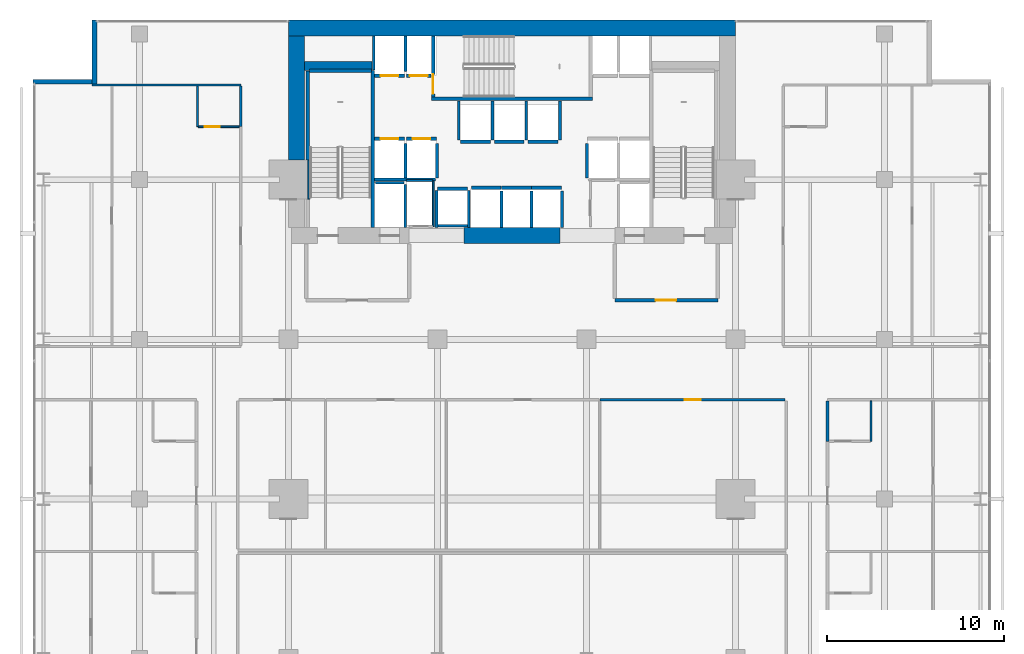
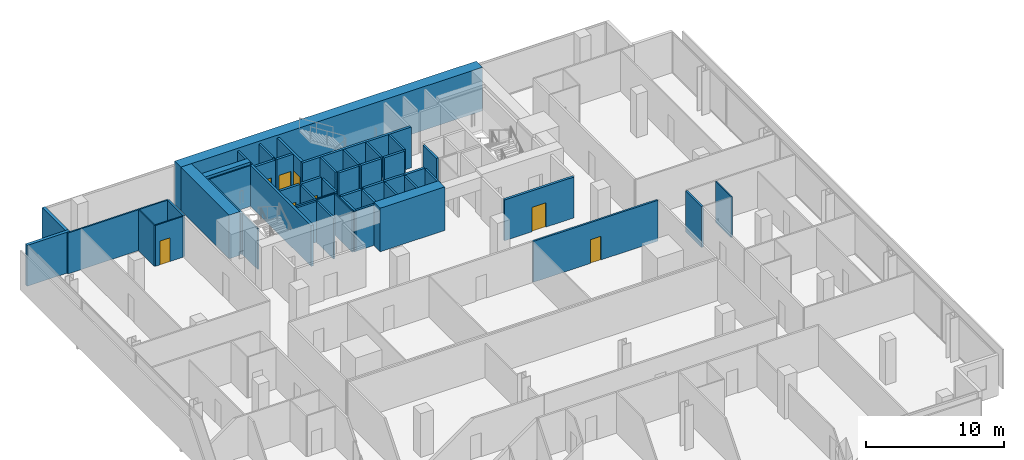
# One storey, part 35 of 39: 51 walls, 8 doors, 8 openings.
"""IFC4 building model written with IfcOpenShell, lengths in metres."""

from ifc_helpers import new_model, si_unit, direction, frame, frame_2d, origin, place, context, subcontext, project, spatial, rectangle, extrude, material, layer, layer_set, type_object, element, fill, save


model = new_model("IFC4")

# Units and contexts
model_context = context("Model", 3, precision=1e-05, world=origin(), true_north=direction((0.0, 1.0)))
body_context = subcontext(model_context, "Body", "Model", "MODEL_VIEW")
ifc_project = project(units=[si_unit("LENGTHUNIT", "METRE"), si_unit("AREAUNIT", "SQUARE_METRE"), si_unit("VOLUMEUNIT", "CUBIC_METRE"), si_unit("PLANEANGLEUNIT", "RADIAN"), si_unit("MASSUNIT", "GRAM", prefix="KILO")], contexts=[model_context])

# Site, building, storey
site_placement = place(None, origin())
site = spatial("IfcSite", under=ifc_project, at=site_placement, CompositionType="ELEMENT")
building_placement = place(site_placement, origin())
building = spatial("IfcBuilding", under=site, at=building_placement, Name="Maruvema Waterfront Hotel and Observation Tower", CompositionType="ELEMENT")
storey_placement = place(building_placement, frame((0.0, 0.0, 69.300048828125)))
storey = spatial("IfcBuildingStorey", under=building, at=storey_placement, Name="L16", CompositionType="ELEMENT", Elevation=69.300048828125)

# Wall, opening, door
ifc_material_1 = material(Name="Twin-stud acoustic gypsum drywall", Category="gypsum")
ifc_layer_1 = layer(ifc_material_1, 0.14990234375, Name="Acoustic Corridor and Suite Demising Wall 150 mm")
ifc_layer_set_1 = layer_set([ifc_layer_1], Name="Twin-stud acoustic gypsum drywall")
wall_type_1 = type_object("IfcWallType", Name="Acoustic Corridor and Suite Demising Wall 150 mm", PredefinedType="PARTITIONING", material=ifc_layer_set_1)
wall_1_placement = place(storey_placement, frame((42.77392578125, 32.60009765625, 0.0), z_axis=(0.0, 0.0, 1.0), x_axis=(1.0, 0.0, 0.0)))
wall_1 = element("IfcWall", 1, at=wall_1_placement, inside=storey, type_object=wall_type_1, Name="L16 L16-INTN Front 4 021", PredefinedType="PARTITIONING", context=body_context, shape_type="SweptSolid", body=[
    extrude(rectangle(XDim=10.416015625, YDim=0.14990234375, at=frame_2d((5.2080078125, 0.0))), origin(), (0.0, 0.0, 1.0), 3.60986328125),
])
opening_1_placement = place(wall_1_placement, frame((4.758056640625, 0.0, 0.0)))
opening_1 = element("IfcOpeningElement", 2, at=opening_1_placement, cuts=wall_1, Name="Opening DR-090", PredefinedType="OPENING", context=body_context, shape_type="SweptSolid", body=[
    extrude(rectangle(XDim=0.89990234375, YDim=2.10009765625, at=frame_2d((0.449951171875, 1.050048828125))), frame((0.0, 0.0849609375, 0.0), z_axis=(0.0, -1.0, 0.0), x_axis=(1.0, 0.0, 0.0)), (0.0, 0.0, 1.0), 0.169921875),
])
ifc_material_2 = material(Name="Solid-core lacquered timber leaf", Category="wood")
door_type_1 = type_object("IfcDoorType", Name="Accessible Toilet and Room Door 900x2100 mm", OperationType="NOTDEFINED", PredefinedType="DOOR", material=ifc_material_2)
door_1_placement = place(opening_1_placement, origin())
door_1 = element("IfcDoor", 3, at=door_1_placement, inside=storey, type_object=door_type_1, Name="L16 Private Study Office 3 Door", OperationType="SINGLE_SWING_RIGHT", OverallHeight=2.10009765625, OverallWidth=0.89990234375, PredefinedType="DOOR", context=body_context, shape_type="SweptSolid", body=[
    extrude(rectangle(XDim=0.89990234375, YDim=2.10009765625, at=frame_2d((0.449951171875, 1.050048828125))), frame((0.0, 0.02490234375, 0.0), z_axis=(0.0, -1.0, 0.0), x_axis=(1.0, 0.0, 0.0)), (0.0, 0.0, 1.0), 0.050048828125),
])
fill(opening_1, door_1)

# Walls
for number, where, z_axis, x_axis, name in (
    (4, (55.580078125, 30.25, 0.0), (0.0, 0.0, 1.0), (0.0, 1.0, 0.0), "L16 Bath L16-E2 Wall 072"),
    (5, (22.52001953125, 47.987548828125, 0.0), (0.0, 0.0, 1.0), (0.0, 1.0, 0.0), "L16 Bath L16-NW1 Wall 081"),
):
    element("IfcWall", number, at=place(storey_placement, frame(where, z_axis=z_axis, x_axis=x_axis)), inside=storey, type_object=wall_type_1, Name=name, PredefinedType="PARTITIONING", context=body_context, shape_type="SweptSolid", body=[
        extrude(rectangle(XDim=2.2900390625, YDim=0.14990234375, at=frame_2d((1.14501953125, 0.0))), origin(), (0.0, 0.0, 1.0), 3.60986328125),
    ])
ifc_material_3 = material(Name="Precast concrete C45/55", Category="concrete")
ifc_layer_2 = layer(ifc_material_3, 0.199951171875, Name="Core Shaft and Stairwell Enclosure Wall 200 mm")
ifc_layer_set_2 = layer_set([ifc_layer_2], Name="Precast concrete C45/55")
wall_type_2 = type_object("IfcWallType", Name="Core Shaft and Stairwell Enclosure Wall 200 mm", PredefinedType="SOLIDWALL", material=ifc_layer_set_2)
wall_2_placement = place(storey_placement, frame((29.949951171875, 42.300048828125, 0.0), z_axis=(0.0, 0.0, 1.0), x_axis=(0.0, 1.0, 0.0)))
element("IfcWall", 6, at=wall_2_placement, inside=storey, type_object=wall_type_2, Name="L16 Stairwell ST-01 East Shaft Wall", PredefinedType="SOLIDWALL", context=body_context, shape_type="SweptSolid", body=[
    extrude(rectangle(XDim=8.849853515625, YDim=0.199951171875, at=frame_2d((4.4248046875, 0.0))), origin(), (0.0, 0.0, 1.0), 3.60986328125),
])
wall_3_placement = place(storey_placement, frame((26.300048828125, 46.1201171875, 0.0), z_axis=(0.0, 0.0, 1.0), x_axis=(0.0, 1.0, 0.0)))
element("IfcWall", 7, at=wall_3_placement, inside=storey, type_object=wall_type_2, Name="L16 Stairwell ST-01 Shaft Lining Wall", PredefinedType="SOLIDWALL", context=body_context, shape_type="SweptSolid", body=[
    extrude(rectangle(XDim=5.0, YDim=0.199951171875, at=frame_2d((2.5, 0.0))), origin(), (0.0, 0.0, 1.0), 3.60986328125),
])
wall_4_placement = place(storey_placement, frame((26.3798828125, 51.14990234375, 0.0), z_axis=(0.0, 0.0, 1.0), x_axis=(1.0, 0.0, 0.0)))
element("IfcWall", 8, at=wall_4_placement, inside=storey, type_object=wall_type_2, Name="L16 Stairwell ST-01 Shaft Lining Wall", PredefinedType="SOLIDWALL", context=body_context, shape_type="SweptSolid", body=[
    extrude(rectangle(XDim=3.5, YDim=0.199951171875, at=frame_2d((1.75, 0.0))), origin(), (0.0, 0.0, 1.0), 3.60986328125),
])
wall_5_placement = place(storey_placement, frame((33.25, 49.550048828125, 0.0), z_axis=(0.0, 0.0, 1.0), x_axis=(1.0, 0.0, 0.0)))
element("IfcWall", 9, at=wall_5_placement, inside=storey, type_object=wall_type_2, Name="L16 Stairwell ST-02 Shaft Wall", PredefinedType="SOLIDWALL", context=body_context, shape_type="SweptSolid", body=[
    extrude(rectangle(XDim=9.10009765625, YDim=0.199951171875, at=frame_2d((4.550048828125, 0.0))), origin(), (0.0, 0.0, 1.0), 3.60986328125),
])

# Wall, opening, door
wall_6_placement = place(storey_placement, frame((33.35009765625, 49.64990234375, 0.0), z_axis=(0.0, 0.0, 1.0), x_axis=(0.0, 1.0, 0.0)))
wall_6 = element("IfcWall", 10, at=wall_6_placement, inside=storey, type_object=wall_type_2, Name="L16 Stairwell ST-02 Shaft Wall", PredefinedType="SOLIDWALL", context=body_context, shape_type="SweptSolid", body=[
    extrude(rectangle(XDim=3.4501953125, YDim=0.199951171875, at=frame_2d((1.72509765625, 0.0))), origin(), (0.0, 0.0, 1.0), 3.60986328125),
])
opening_2_placement = place(wall_6_placement, frame((0.179931640625, 0.0, 0.0)))
opening_2 = element("IfcOpeningElement", 11, at=opening_2_placement, cuts=wall_6, Name="Opening SD-02", PredefinedType="OPENING", context=body_context, shape_type="SweptSolid", body=[
    extrude(rectangle(XDim=1.10009765625, YDim=2.14990234375, at=frame_2d((0.550048828125, 1.074951171875))), frame((0.0, 0.10986328125, 0.0), z_axis=(0.0, -1.0, 0.0), x_axis=(1.0, 0.0, 0.0)), (0.0, 0.0, 1.0), 0.219970703125),
])
ifc_material_4 = material(Name="Fire-rated galvanised steel leaf", Category="steel")
door_type_2 = type_object("IfcDoorType", Name="Central Exit Stair Fire Door 1100x2150 mm", OperationType="NOTDEFINED", PredefinedType="DOOR", material=ifc_material_4)
door_2_placement = place(opening_2_placement, frame((1.10009765625, 0.0, 0.0), z_axis=(0.0, 0.0, 1.0), x_axis=(-1.0, 0.0, 0.0)))
door_2 = element("IfcDoor", 12, at=door_2_placement, inside=storey, type_object=door_type_2, Name="L16 Exit Stair ST-02 Fire Door", OperationType="SINGLE_SWING_LEFT", OverallHeight=2.14990234375, OverallWidth=1.10009765625, PredefinedType="DOOR", context=body_context, shape_type="SweptSolid", body=[
    extrude(rectangle(XDim=1.10009765625, YDim=2.14990234375, at=frame_2d((0.550048828125, 1.074951171875))), frame((0.0, 0.02490234375, 0.0), z_axis=(0.0, -1.0, 0.0), x_axis=(1.0, 0.0, 0.0)), (0.0, 0.0, 1.0), 0.050048828125),
])
fill(opening_2, door_2)

wall_7_placement = place(storey_placement, frame((30.06005859375, 47.300048828125, 0.0), z_axis=(0.0, 0.0, 1.0), x_axis=(1.0, 0.0, 0.0)))
wall_7 = element("IfcWall", 13, at=wall_7_placement, inside=storey, type_object=wall_type_2, Name="L16 Lift LF-01 Hoistway Front Wall", PredefinedType="SOLIDWALL", context=body_context, shape_type="SweptSolid", body=[
    extrude(rectangle(XDim=1.679931640625, YDim=0.199951171875, at=frame_2d((0.83984375, 0.0))), origin(), (0.0, 0.0, 1.0), 3.60986328125),
])
opening_3_placement = place(wall_7_placement, frame((0.340087890625, 0.0, 0.0)))
opening_3 = element("IfcOpeningElement", 14, at=opening_3_placement, cuts=wall_7, Name="Opening LD-01", PredefinedType="OPENING", context=body_context, shape_type="SweptSolid", body=[
    extrude(rectangle(XDim=1.0, YDim=2.14990234375, at=frame_2d((0.5, 1.074951171875))), frame((0.0, 0.10986328125, 0.0), z_axis=(0.0, -1.0, 0.0), x_axis=(1.0, 0.0, 0.0)), (0.0, 0.0, 1.0), 0.219970703125),
])
ifc_material_5 = material(Name="Brushed stainless steel Grade 316", Category="steel")
door_type_3 = type_object("IfcDoorType", Name="Passenger Lift Sliding Landing Door 1000x2150 mm", OperationType="SLIDING_TO_LEFT", PredefinedType="DOOR", material=ifc_material_5)
door_3_placement = place(opening_3_placement, origin())
door_3 = element("IfcDoor", 15, at=door_3_placement, inside=storey, type_object=door_type_3, Name="L16 Lift LF-01 Sliding Landing Door", OperationType="SLIDING_TO_LEFT", OverallHeight=2.14990234375, OverallWidth=1.0, PredefinedType="DOOR", context=body_context, shape_type="SweptSolid", body=[
    extrude(rectangle(XDim=1.0, YDim=2.14990234375, at=frame_2d((0.5, 1.074951171875))), frame((0.0, 0.02490234375, 0.0), z_axis=(0.0, -1.0, 0.0), x_axis=(1.0, 0.0, 0.0)), (0.0, 0.0, 1.0), 0.050048828125),
])
fill(opening_3, door_3)

wall_8_placement = place(storey_placement, frame((31.860107421875, 47.300048828125, 0.0), z_axis=(0.0, 0.0, 1.0), x_axis=(1.0, 0.0, 0.0)))
wall_8 = element("IfcWall", 16, at=wall_8_placement, inside=storey, type_object=wall_type_2, Name="L16 Lift LF-02 Hoistway Front Wall", PredefinedType="SOLIDWALL", context=body_context, shape_type="SweptSolid", body=[
    extrude(rectangle(XDim=1.679931640625, YDim=0.199951171875, at=frame_2d((0.83984375, 0.0))), origin(), (0.0, 0.0, 1.0), 3.60986328125),
])
opening_4_placement = place(wall_8_placement, frame((0.340087890625, 0.0, 0.0)))
opening_4 = element("IfcOpeningElement", 17, at=opening_4_placement, cuts=wall_8, Name="Opening LD-01", PredefinedType="OPENING", context=body_context, shape_type="SweptSolid", body=[
    extrude(rectangle(XDim=1.0, YDim=2.14990234375, at=frame_2d((0.5, 1.074951171875))), frame((0.0, 0.10986328125, 0.0), z_axis=(0.0, -1.0, 0.0), x_axis=(1.0, 0.0, 0.0)), (0.0, 0.0, 1.0), 0.219970703125),
])
door_4_placement = place(opening_4_placement, origin())
door_4 = element("IfcDoor", 18, at=door_4_placement, inside=storey, type_object=door_type_3, Name="L16 Lift LF-02 Sliding Landing Door", OperationType="SLIDING_TO_LEFT", OverallHeight=2.14990234375, OverallWidth=1.0, PredefinedType="DOOR", context=body_context, shape_type="SweptSolid", body=[
    extrude(rectangle(XDim=1.0, YDim=2.14990234375, at=frame_2d((0.5, 1.074951171875))), frame((0.0, 0.02490234375, 0.0), z_axis=(0.0, -1.0, 0.0), x_axis=(1.0, 0.0, 0.0)), (0.0, 0.0, 1.0), 0.050048828125),
])
fill(opening_4, door_4)

wall_9_placement = place(storey_placement, frame((30.06005859375, 50.85009765625, 0.0), z_axis=(0.0, 0.0, 1.0), x_axis=(1.0, 0.0, 0.0)))
wall_9 = element("IfcWall", 19, at=wall_9_placement, inside=storey, type_object=wall_type_2, Name="L16 Lift LF-03 Hoistway Front Wall", PredefinedType="SOLIDWALL", context=body_context, shape_type="SweptSolid", body=[
    extrude(rectangle(XDim=1.679931640625, YDim=0.199951171875, at=frame_2d((0.83984375, 0.0))), origin(), (0.0, 0.0, 1.0), 3.60986328125),
])
opening_5_placement = place(wall_9_placement, frame((0.340087890625, 0.0, 0.0)))
opening_5 = element("IfcOpeningElement", 20, at=opening_5_placement, cuts=wall_9, Name="Opening LD-01", PredefinedType="OPENING", context=body_context, shape_type="SweptSolid", body=[
    extrude(rectangle(XDim=1.0, YDim=2.14990234375, at=frame_2d((0.5, 1.074951171875))), frame((0.0, 0.10986328125, 0.0), z_axis=(0.0, -1.0, 0.0), x_axis=(1.0, 0.0, 0.0)), (0.0, 0.0, 1.0), 0.219970703125),
])
door_5_placement = place(opening_5_placement, frame((1.0, 0.0, 0.0), z_axis=(0.0, 0.0, 1.0), x_axis=(-1.0, 0.0, 0.0)))
door_5 = element("IfcDoor", 21, at=door_5_placement, inside=storey, type_object=door_type_3, Name="L16 Lift LF-03 Sliding Landing Door", OperationType="SLIDING_TO_LEFT", OverallHeight=2.14990234375, OverallWidth=1.0, PredefinedType="DOOR", context=body_context, shape_type="SweptSolid", body=[
    extrude(rectangle(XDim=1.0, YDim=2.14990234375, at=frame_2d((0.5, 1.074951171875))), frame((0.0, 0.02490234375, 0.0), z_axis=(0.0, -1.0, 0.0), x_axis=(1.0, 0.0, 0.0)), (0.0, 0.0, 1.0), 0.050048828125),
])
fill(opening_5, door_5)

wall_10_placement = place(storey_placement, frame((31.860107421875, 50.85009765625, 0.0), z_axis=(0.0, 0.0, 1.0), x_axis=(1.0, 0.0, 0.0)))
wall_10 = element("IfcWall", 22, at=wall_10_placement, inside=storey, type_object=wall_type_2, Name="L16 Lift LF-04 Hoistway Front Wall", PredefinedType="SOLIDWALL", context=body_context, shape_type="SweptSolid", body=[
    extrude(rectangle(XDim=1.3798828125, YDim=0.199951171875, at=frame_2d((0.68994140625, 0.0))), origin(), (0.0, 0.0, 1.0), 3.60986328125),
])
opening_6_placement = place(wall_10_placement, frame((0.18994140625, 0.0, 0.0)))
opening_6 = element("IfcOpeningElement", 23, at=opening_6_placement, cuts=wall_10, Name="Opening LD-01", PredefinedType="OPENING", context=body_context, shape_type="SweptSolid", body=[
    extrude(rectangle(XDim=1.0, YDim=2.14990234375, at=frame_2d((0.5, 1.074951171875))), frame((0.0, 0.10986328125, 0.0), z_axis=(0.0, -1.0, 0.0), x_axis=(1.0, 0.0, 0.0)), (0.0, 0.0, 1.0), 0.219970703125),
])
door_6_placement = place(opening_6_placement, frame((1.0, 0.0, 0.0), z_axis=(0.0, 0.0, 1.0), x_axis=(-1.0, 0.0, 0.0)))
door_6 = element("IfcDoor", 24, at=door_6_placement, inside=storey, type_object=door_type_3, Name="L16 Lift LF-04 Sliding Landing Door", OperationType="SLIDING_TO_LEFT", OverallHeight=2.14990234375, OverallWidth=1.0, PredefinedType="DOOR", context=body_context, shape_type="SweptSolid", body=[
    extrude(rectangle(XDim=1.0, YDim=2.14990234375, at=frame_2d((0.5, 1.074951171875))), frame((0.0, 0.02490234375, 0.0), z_axis=(0.0, -1.0, 0.0), x_axis=(1.0, 0.0, 0.0)), (0.0, 0.0, 1.0), 0.050048828125),
])
fill(opening_6, door_6)

# Walls
for number, where, z_axis, x_axis, name in (
    (25, (35.510009765625, 44.550048828125, 0.0), (0.0, 0.0, 1.0), (1.0, 0.0, 0.0), "L16 Lift LF-09 Hoistway Front Wall"),
    (26, (37.2099609375, 44.550048828125, 0.0), (0.0, 0.0, 1.0), (1.0, 0.0, 0.0), "L16 Lift LF-10 Hoistway Front Wall"),
):
    element("IfcWall", number, at=place(storey_placement, frame(where, z_axis=z_axis, x_axis=x_axis)), inside=storey, type_object=wall_type_2, Name=name, PredefinedType="SOLIDWALL", context=body_context, shape_type="SweptSolid", body=[
        extrude(rectangle(XDim=1.679931640625, YDim=0.199951171875, at=frame_2d((0.83984375, 0.0))), origin(), (0.0, 0.0, 1.0), 3.60986328125),
    ])
for number, where, z_axis, x_axis, name in (
    (27, (38.909912109375, 44.550048828125, 0.0), (0.0, 0.0, 1.0), (1.0, 0.0, 0.0), "L16 Lift LF-11 Hoistway Front Wall"),
    (28, (34.909912109375, 47.14990234375, 0.0), (0.0, 0.0, 1.0), (1.0, 0.0, 0.0), "L16 Lift LF-12 Hoistway Front Wall"),
):
    element("IfcWall", number, at=place(storey_placement, frame(where, z_axis=z_axis, x_axis=x_axis)), inside=storey, type_object=wall_type_2, Name=name, PredefinedType="SOLIDWALL", context=body_context, shape_type="SweptSolid", body=[
        extrude(rectangle(XDim=1.68017578125, YDim=0.199951171875, at=frame_2d((0.840087890625, 0.0))), origin(), (0.0, 0.0, 1.0), 3.60986328125),
    ])
for number, where, z_axis, x_axis, name in (
    (29, (36.81005859375, 47.14990234375, 0.0), (0.0, 0.0, 1.0), (1.0, 0.0, 0.0), "L16 Lift LF-13 Hoistway Front Wall"),
    (30, (38.7099609375, 47.14990234375, 0.0), (0.0, 0.0, 1.0), (1.0, 0.0, 0.0), "L16 Lift LF-14 Hoistway Front Wall"),
    (31, (33.610107421875, 44.5, 0.0), (0.0, 0.0, 1.0), (1.0, 0.0, 0.0), "L16 Lift LF-15 Hoistway Front Wall"),
):
    element("IfcWall", number, at=place(storey_placement, frame(where, z_axis=z_axis, x_axis=x_axis)), inside=storey, type_object=wall_type_2, Name=name, PredefinedType="SOLIDWALL", context=body_context, shape_type="SweptSolid", body=[
        extrude(rectangle(XDim=1.679931640625, YDim=0.199951171875, at=frame_2d((0.83984375, 0.0))), origin(), (0.0, 0.0, 1.0), 3.60986328125),
    ])
ifc_material_6 = material(Name="Concrete C70/85", Category="concrete")
ifc_layer_3 = layer(ifc_material_6, 0.5, Name="Core Shear Wall 500 mm")
ifc_layer_set_3 = layer_set([ifc_layer_3], Name="Concrete C70/85")
wall_type_3 = type_object("IfcWallType", Name="Core Shear Wall 500 mm", PredefinedType="SHEAR", material=ifc_layer_set_3)
wall_11_placement = place(storey_placement, frame((26.10009765625, 51.39990234375, 0.0), z_axis=(0.0, 0.0, 1.0), x_axis=(1.0, 0.0, 0.0)))
element("IfcWall", 32, at=wall_11_placement, inside=storey, type_object=wall_type_3, Name="L16 Internal Core Shear Wall NW 500 mm", PredefinedType="SHEAR", context=body_context, shape_type="SweptSolid", body=[
    extrude(rectangle(XDim=3.7998046875, YDim=0.5, at=frame_2d((1.89990234375, 0.0))), origin(), (0.0, 0.0, 1.0), 3.849853515625),
])
ifc_material_7 = material(Name="Concrete C80/95", Category="concrete")
ifc_layer_4 = layer(ifc_material_7, 0.89990234375, Name="Core Shear Wall 900 mm")
ifc_layer_set_4 = layer_set([ifc_layer_4], Name="Concrete C80/95")
wall_type_4 = type_object("IfcWallType", Name="Core Shear Wall 900 mm", PredefinedType="SHEAR", material=ifc_layer_set_4)
wall_12_placement = place(storey_placement, frame((25.199951171875, 53.550048828125, 0.0), z_axis=(0.0, 0.0, 1.0), x_axis=(1.0, 0.0, 0.0)))
element("IfcWall", 33, at=wall_12_placement, inside=storey, type_object=wall_type_4, Name="L16 North Core Shear Wall", PredefinedType="SHEAR", context=body_context, shape_type="SweptSolid", body=[
    extrude(rectangle(XDim=25.199951171875, YDim=0.89990234375, at=frame_2d((12.60009765625, 0.0))), origin(), (0.0, 0.0, 1.0), 3.849853515625),
])
wall_13_placement = place(storey_placement, frame((35.10009765625, 41.85009765625, 0.0), z_axis=(0.0, 0.0, 1.0), x_axis=(1.0, 0.0, 0.0)))
element("IfcWall", 34, at=wall_13_placement, inside=storey, type_object=wall_type_4, Name="L16 South-Central Core Shear Wall", PredefinedType="SHEAR", context=body_context, shape_type="SweptSolid", body=[
    extrude(rectangle(XDim=5.39990234375, YDim=0.89990234375, at=frame_2d((2.699951171875, 0.0))), origin(), (0.0, 0.0, 1.0), 3.849853515625),
])
wall_14_placement = place(storey_placement, frame((25.64990234375, 46.10009765625, 0.0), z_axis=(0.0, 0.0, 1.0), x_axis=(0.0, 1.0, 0.0)))
element("IfcWall", 35, at=wall_14_placement, inside=storey, type_object=wall_type_4, Name="L16 West-North Core Shear Wall", PredefinedType="SHEAR", context=body_context, shape_type="SweptSolid", body=[
    extrude(rectangle(XDim=7.0, YDim=0.89990234375, at=frame_2d((3.5, 0.0))), origin(), (0.0, 0.0, 1.0), 3.849853515625),
])
ifc_material_8 = material(Name="Moisture-resistant cement-board drywall", Category="gypsum")
ifc_layer_5 = layer(ifc_material_8, 0.10009765625, Name="En-Suite Moisture-Resistant Partition 100 mm")
ifc_layer_set_5 = layer_set([ifc_layer_5], Name="Moisture-resistant cement-board drywall")
wall_type_5 = type_object("IfcWallType", Name="En-Suite Moisture-Resistant Partition 100 mm", PredefinedType="PARTITIONING", material=ifc_layer_set_5)
wall_15_placement = place(storey_placement, frame((31.840087890625, 44.9599609375, 0.0), z_axis=(0.0, 0.0, 1.0), x_axis=(1.0, 0.0, 0.0)))
element("IfcWall", 36, at=wall_15_placement, inside=storey, type_object=wall_type_5, Name="L16 Telecom Riser North Wall 008", PredefinedType="PARTITIONING", context=body_context, shape_type="SweptSolid", body=[
    extrude(rectangle(XDim=1.47998046875, YDim=0.10009765625, at=frame_2d((0.739990234375, 0.0))), origin(), (0.0, 0.0, 1.0), 3.60986328125),
])
wall_16_placement = place(storey_placement, frame((33.360107421875, 42.360107421875, 0.0), z_axis=(0.0, 0.0, 1.0), x_axis=(0.0, 1.0, 0.0)))
element("IfcWall", 37, at=wall_16_placement, inside=storey, type_object=wall_type_5, Name="L16 Telecom Riser East Wall 009", PredefinedType="PARTITIONING", context=body_context, shape_type="SweptSolid", body=[
    extrude(rectangle(XDim=2.579833984375, YDim=0.10009765625, at=frame_2d((1.2900390625, 0.0))), origin(), (0.0, 0.0, 1.0), 3.60986328125),
])
for number, where, z_axis, x_axis, name in (
    (38, (58.030029296875, 30.25, 0.0), (0.0, 0.0, 1.0), (0.0, 1.0, 0.0), "L16 En-Suite L16-E2 E 073"),
    (39, (20.070068359375, 47.987548828125, 0.0), (0.0, 0.0, 1.0), (0.0, 1.0, 0.0), "L16 En-Suite L16-NW1 W 082"),
):
    element("IfcWall", number, at=place(storey_placement, frame(where, z_axis=z_axis, x_axis=x_axis)), inside=storey, type_object=wall_type_5, Name=name, PredefinedType="PARTITIONING", context=body_context, shape_type="SweptSolid", body=[
        extrude(rectangle(XDim=2.2900390625, YDim=0.10009765625, at=frame_2d((1.14501953125, 0.0))), origin(), (0.0, 0.0, 1.0), 3.60986328125),
    ])

# Wall, opening, door
wall_17_placement = place(storey_placement, frame((20.1201171875, 47.987548828125, 0.0), z_axis=(0.0, 0.0, 1.0), x_axis=(1.0, 0.0, 0.0)))
wall_17 = element("IfcWall", 40, at=wall_17_placement, inside=storey, type_object=wall_type_5, Name="L16 En-Suite L16-NW1 S 083", PredefinedType="PARTITIONING", context=body_context, shape_type="SweptSolid", body=[
    extrude(rectangle(XDim=2.2998046875, YDim=0.10009765625, at=frame_2d((1.14990234375, 0.0))), origin(), (0.0, 0.0, 1.0), 3.60986328125),
])
opening_7_placement = place(wall_17_placement, frame((0.35009765625, 0.0, 0.0)))
opening_7 = element("IfcOpeningElement", 41, at=opening_7_placement, cuts=wall_17, Name="Opening DR-085", PredefinedType="OPENING", context=body_context, shape_type="SweptSolid", body=[
    extrude(rectangle(XDim=0.85009765625, YDim=2.10009765625, at=frame_2d((0.425048828125, 1.050048828125))), frame((0.0, 0.06005859375, 0.0), z_axis=(0.0, -1.0, 0.0), x_axis=(1.0, 0.0, 0.0)), (0.0, 0.0, 1.0), 0.1201171875),
])
ifc_material_9 = material(Name="Moisture-resistant solid timber leaf", Category="wood")
door_type_4 = type_object("IfcDoorType", Name="En-Suite Bathroom Door 850x2100 mm", OperationType="NOTDEFINED", PredefinedType="DOOR", material=ifc_material_9)
door_7_placement = place(opening_7_placement, frame((0.85009765625, 0.0, 0.0), z_axis=(0.0, 0.0, 1.0), x_axis=(-1.0, 0.0, 0.0)))
door_7 = element("IfcDoor", 42, at=door_7_placement, inside=storey, type_object=door_type_4, Name="L16 En-Suite L16-NW1 Door", OperationType="SINGLE_SWING_RIGHT", OverallHeight=2.10009765625, OverallWidth=0.85009765625, PredefinedType="DOOR", context=body_context, shape_type="SweptSolid", body=[
    extrude(rectangle(XDim=0.85009765625, YDim=2.10009765625, at=frame_2d((0.425048828125, 1.050048828125))), frame((0.0, 0.02490234375, 0.0), z_axis=(0.0, -1.0, 0.0), x_axis=(1.0, 0.0, 0.0)), (0.0, 0.0, 1.0), 0.050048828125),
])
fill(opening_7, door_7)

# Walls
ifc_material_10 = material(Name="Precast concrete C45/55 with honed Pernambuco granite facing", Category="masonry")
ifc_layer_6 = layer(ifc_material_10, 0.260009765625, Name="Exterior Granite Clad Spandrel and Pier Wall 260 mm")
ifc_layer_set_6 = layer_set([ifc_layer_6], Name="Precast concrete C45/55 with honed Pernambuco granite facing")
wall_type_6 = type_object("IfcWallType", Name="Exterior Granite Clad Spandrel and Pier Wall 260 mm", PredefinedType="SOLIDWALL", material=ifc_layer_set_6)
wall_18_placement = place(storey_placement, frame((14.27001953125, 50.39990234375, 0.0), z_axis=(0.0, 0.0, 1.0), x_axis=(0.0, 1.0, 0.0)))
element("IfcWall", 43, at=wall_18_placement, inside=storey, type_object=wall_type_6, Name="L16 Corner Notch Granite Pier Wall NW1", PredefinedType="SOLIDWALL", context=body_context, shape_type="SweptSolid", body=[
    extrude(rectangle(XDim=3.60009765625, YDim=0.260009765625, at=frame_2d((1.800048828125, 0.0))), origin(), (0.0, 0.0, 1.0), 3.60986328125),
])
wall_19_placement = place(storey_placement, frame((10.800048828125, 50.530029296875, 0.0), z_axis=(0.0, 0.0, 1.0), x_axis=(1.0, 0.0, 0.0)))
element("IfcWall", 44, at=wall_19_placement, inside=storey, type_object=wall_type_6, Name="L16 Corner Notch Granite Pier Wall NW2", PredefinedType="SOLIDWALL", context=body_context, shape_type="SweptSolid", body=[
    extrude(rectangle(XDim=3.599853515625, YDim=0.260009765625, at=frame_2d((1.7998046875, 0.0))), origin(), (0.0, 0.0, 1.0), 3.60986328125),
])

# Wall, opening, door
ifc_material_11 = material(Name="Autoclaved cellular concrete blockwork", Category="masonry")
ifc_layer_7 = layer(ifc_material_11, 0.199951171875, Name="Fire Compartment Masonry Wall 200 mm")
ifc_layer_set_7 = layer_set([ifc_layer_7], Name="Autoclaved cellular concrete blockwork")
wall_type_7 = type_object("IfcWallType", Name="Fire Compartment Masonry Wall 200 mm", PredefinedType="PARTITIONING", material=ifc_layer_set_7)
wall_20_placement = place(storey_placement, frame((43.60009765625, 38.199951171875, 0.0), z_axis=(0.0, 0.0, 1.0), x_axis=(1.0, 0.0, 0.0)))
wall_20 = element("IfcWall", 45, at=wall_20_placement, inside=storey, type_object=wall_type_7, Name="L16 FFL East South Wall 004", PredefinedType="PARTITIONING", context=body_context, shape_type="SweptSolid", body=[
    extrude(rectangle(XDim=5.7998046875, YDim=0.199951171875, at=frame_2d((2.89990234375, 0.0))), origin(), (0.0, 0.0, 1.0), 3.60986328125),
])
opening_8_placement = place(wall_20_placement, frame((2.300048828125, 0.0, 0.0)))
opening_8 = element("IfcOpeningElement", 46, at=opening_8_placement, cuts=wall_20, Name="Opening FD-115", PredefinedType="OPENING", context=body_context, shape_type="SweptSolid", body=[
    extrude(rectangle(XDim=1.14990234375, YDim=2.14990234375, at=frame_2d((0.574951171875, 1.074951171875))), frame((0.0, 0.10986328125, 0.0), z_axis=(0.0, -1.0, 0.0), x_axis=(1.0, 0.0, 0.0)), (0.0, 0.0, 1.0), 0.219970703125),
])
ifc_material_12 = material(Name="Fire-rated galvanised steel and vision glass", Category="steel")
door_type_5 = type_object("IfcDoorType", Name="Firefighting Lobby Fire Door 1150x2150 mm", OperationType="NOTDEFINED", PredefinedType="DOOR", material=ifc_material_12)
door_8_placement = place(opening_8_placement, frame((1.14990234375, 0.0, 0.0), z_axis=(0.0, 0.0, 1.0), x_axis=(-1.0, 0.0, 0.0)))
door_8 = element("IfcDoor", 47, at=door_8_placement, inside=storey, type_object=door_type_5, Name="L16 Firefighting Lobby East Door", OperationType="SINGLE_SWING_RIGHT", OverallHeight=2.14990234375, OverallWidth=1.14990234375, PredefinedType="DOOR", context=body_context, shape_type="SweptSolid", body=[
    extrude(rectangle(XDim=1.14990234375, YDim=2.14990234375, at=frame_2d((0.574951171875, 1.074951171875))), frame((0.0, 0.02490234375, 0.0), z_axis=(0.0, -1.0, 0.0), x_axis=(1.0, 0.0, 0.0)), (0.0, 0.0, 1.0), 0.050048828125),
])
fill(opening_8, door_8)

# Walls
ifc_material_13 = material(Name="Acoustic gypsum plasterboard drywall", Category="gypsum")
ifc_layer_8 = layer(ifc_material_13, 0.125, Name="Guestroom Acoustic Demising Wall 125 mm")
ifc_layer_set_8 = layer_set([ifc_layer_8], Name="Acoustic gypsum plasterboard drywall")
wall_type_8 = type_object("IfcWallType", Name="Guestroom Acoustic Demising Wall 125 mm", PredefinedType="PARTITIONING", material=ifc_layer_set_8)
wall_21_placement = place(storey_placement, frame((14.139892578125, 50.33740234375, 0.0), z_axis=(0.0, 0.0, 1.0), x_axis=(1.0, 0.0, 0.0)))
element("IfcWall", 48, at=wall_21_placement, inside=storey, type_object=wall_type_8, Name="L16 NW Top End 078", PredefinedType="PARTITIONING", context=body_context, shape_type="SweptSolid", body=[
    extrude(rectangle(XDim=8.380126953125, YDim=0.125, at=frame_2d((4.18994140625, 0.0))), origin(), (0.0, 0.0, 1.0), 3.60986328125),
])
ifc_material_14 = material(Name="Precast concrete C45/55", Category="concrete")
ifc_layer_9 = layer(ifc_material_14, 0.159912109375, Name="Lift Hoistway Divider Wall 160 mm")
ifc_layer_set_9 = layer_set([ifc_layer_9], Name="Precast concrete C45/55")
wall_type_9 = type_object("IfcWallType", Name="Lift Hoistway Divider Wall 160 mm", PredefinedType="SOLIDWALL", material=ifc_layer_set_9)
wall_22_placement = place(storey_placement, frame((30.10009765625, 44.830078125, 0.0), z_axis=(0.0, 0.0, 1.0), x_axis=(1.0, 0.0, 0.0)))
element("IfcWall", 49, at=wall_22_placement, inside=storey, type_object=wall_type_9, Name="L16 Lift FL-01 Rear Hoistway Wall", PredefinedType="SOLIDWALL", context=body_context, shape_type="SweptSolid", body=[
    extrude(rectangle(XDim=1.599853515625, YDim=0.159912109375, at=frame_2d((0.7998046875, 0.0))), origin(), (0.0, 0.0, 1.0), 3.60986328125),
])
wall_23_placement = place(storey_placement, frame((31.780029296875, 42.300048828125, 0.0), z_axis=(0.0, 0.0, 1.0), x_axis=(0.0, 1.0, 0.0)))
element("IfcWall", 50, at=wall_23_placement, inside=storey, type_object=wall_type_9, Name="L16 Lift FL-01 Inner Hoistway Wall", PredefinedType="SOLIDWALL", context=body_context, shape_type="SweptSolid", body=[
    extrude(rectangle(XDim=2.43994140625, YDim=0.159912109375, at=frame_2d((1.219970703125, 0.0))), origin(), (0.0, 0.0, 1.0), 3.60986328125),
])
for number, where, z_axis, x_axis, name in (
    (51, (31.800048828125, 45.10009765625, 0.0), (0.0, 0.0, 1.0), (0.0, 1.0, 0.0), "L16 Hoistway Divider Wall"),
    (52, (33.580078125, 45.10009765625, 0.0), (0.0, 0.0, 1.0), (0.0, 1.0, 0.0), "L16 Hoistway Divider Wall"),
):
    element("IfcWall", number, at=place(storey_placement, frame(where, z_axis=z_axis, x_axis=x_axis)), inside=storey, type_object=wall_type_9, Name=name, PredefinedType="SOLIDWALL", context=body_context, shape_type="SweptSolid", body=[
        extrude(rectangle(XDim=1.949951171875, YDim=0.159912109375, at=frame_2d((0.97509765625, 0.0))), origin(), (0.0, 0.0, 1.0), 3.60986328125),
    ])
wall_24_placement = place(storey_placement, frame((30.050048828125, 45.010009765625, 0.0), z_axis=(0.0, 0.0, 1.0), x_axis=(1.0, 0.0, 0.0)))
element("IfcWall", 53, at=wall_24_placement, inside=storey, type_object=wall_type_9, Name="L16 Hoistway Divider Wall", PredefinedType="SOLIDWALL", context=body_context, shape_type="SweptSolid", body=[
    extrude(rectangle(XDim=3.449951171875, YDim=0.159912109375, at=frame_2d((1.72509765625, 0.0))), origin(), (0.0, 0.0, 1.0), 3.60986328125),
])
wall_25_placement = place(storey_placement, frame((30.010009765625, 51.179931640625, 0.0), z_axis=(0.0, 0.0, 1.0), x_axis=(0.0, 1.0, 0.0)))
element("IfcWall", 54, at=wall_25_placement, inside=storey, type_object=wall_type_9, Name="L16 Hoistway Divider Wall", PredefinedType="SOLIDWALL", context=body_context, shape_type="SweptSolid", body=[
    extrude(rectangle(XDim=1.920166015625, YDim=0.159912109375, at=frame_2d((0.9599609375, 0.0))), origin(), (0.0, 0.0, 1.0), 3.60986328125),
])
wall_26_placement = place(storey_placement, frame((31.800048828125, 51.10009765625, 0.0), z_axis=(0.0, 0.0, 1.0), x_axis=(0.0, 1.0, 0.0)))
element("IfcWall", 55, at=wall_26_placement, inside=storey, type_object=wall_type_9, Name="L16 Hoistway Divider Wall", PredefinedType="SOLIDWALL", context=body_context, shape_type="SweptSolid", body=[
    extrude(rectangle(XDim=2.0, YDim=0.159912109375, at=frame_2d((1.0, 0.0))), origin(), (0.0, 0.0, 1.0), 3.60986328125),
])
wall_27_placement = place(storey_placement, frame((42.02001953125, 45.10009765625, 0.0), z_axis=(0.0, 0.0, 1.0), x_axis=(0.0, 1.0, 0.0)))
element("IfcWall", 56, at=wall_27_placement, inside=storey, type_object=wall_type_9, Name="L16 Hoistway Divider Wall", PredefinedType="SOLIDWALL", context=body_context, shape_type="SweptSolid", body=[
    extrude(rectangle(XDim=1.949951171875, YDim=0.159912109375, at=frame_2d((0.97509765625, 0.0))), origin(), (0.0, 0.0, 1.0), 3.60986328125),
])
for number, where, z_axis, x_axis, name in (
    (57, (37.199951171875, 42.300048828125, 0.0), (0.0, 0.0, 1.0), (0.0, 1.0, 0.0), "L16 Hoistway Divider Wall"),
    (58, (38.89990234375, 42.300048828125, 0.0), (0.0, 0.0, 1.0), (0.0, 1.0, 0.0), "L16 Hoistway Divider Wall"),
    (59, (40.6201171875, 42.300048828125, 0.0), (0.0, 0.0, 1.0), (0.0, 1.0, 0.0), "L16 Hoistway Divider Wall"),
):
    element("IfcWall", number, at=place(storey_placement, frame(where, z_axis=z_axis, x_axis=x_axis)), inside=storey, type_object=wall_type_9, Name=name, PredefinedType="SOLIDWALL", context=body_context, shape_type="SweptSolid", body=[
        extrude(rectangle(XDim=2.050048828125, YDim=0.159912109375, at=frame_2d((1.02490234375, 0.0))), origin(), (0.0, 0.0, 1.0), 3.60986328125),
    ])
for number, where, z_axis, x_axis, name in (
    (60, (34.800048828125, 47.25, 0.0), (0.0, 0.0, 1.0), (0.0, 1.0, 0.0), "L16 Hoistway Divider Wall"),
    (61, (36.699951171875, 47.25, 0.0), (0.0, 0.0, 1.0), (0.0, 1.0, 0.0), "L16 Hoistway Divider Wall"),
    (62, (38.60009765625, 47.25, 0.0), (0.0, 0.0, 1.0), (0.0, 1.0, 0.0), "L16 Hoistway Divider Wall"),
    (63, (40.5, 47.25, 0.0), (0.0, 0.0, 1.0), (0.0, 1.0, 0.0), "L16 Hoistway Divider Wall"),
):
    element("IfcWall", number, at=place(storey_placement, frame(where, z_axis=z_axis, x_axis=x_axis)), inside=storey, type_object=wall_type_9, Name=name, PredefinedType="SOLIDWALL", context=body_context, shape_type="SweptSolid", body=[
        extrude(rectangle(XDim=2.18994140625, YDim=0.159912109375, at=frame_2d((1.094970703125, 0.0))), origin(), (0.0, 0.0, 1.0), 3.60986328125),
    ])
for number, where, z_axis, x_axis, name in (
    (64, (33.5400390625, 42.300048828125, 0.0), (0.0, 0.0, 1.0), (0.0, 1.0, 0.0), "L16 Hoistway Divider Wall"),
    (65, (35.360107421875, 42.300048828125, 0.0), (0.0, 0.0, 1.0), (0.0, 1.0, 0.0), "L16 Hoistway Divider Wall"),
):
    element("IfcWall", number, at=place(storey_placement, frame(where, z_axis=z_axis, x_axis=x_axis)), inside=storey, type_object=wall_type_9, Name=name, PredefinedType="SOLIDWALL", context=body_context, shape_type="SweptSolid", body=[
        extrude(rectangle(XDim=2.099853515625, YDim=0.159912109375, at=frame_2d((1.0498046875, 0.0))), origin(), (0.0, 0.0, 1.0), 3.60986328125),
    ])
wall_28_placement = place(storey_placement, frame((33.6201171875, 42.39990234375, 0.0), z_axis=(0.0, 0.0, 1.0), x_axis=(1.0, 0.0, 0.0)))
element("IfcWall", 66, at=wall_28_placement, inside=storey, type_object=wall_type_9, Name="L16 Hoistway Divider Wall", PredefinedType="SOLIDWALL", context=body_context, shape_type="SweptSolid", body=[
    extrude(rectangle(XDim=1.659912109375, YDim=0.159912109375, at=frame_2d((0.830078125, 0.0))), origin(), (0.0, 0.0, 1.0), 3.60986328125),
])
ifc_material_15 = material(Name="Precast concrete C45/55", Category="concrete")
ifc_layer_10 = layer(ifc_material_15, 0.10009765625, Name="Stairwell Stringer Cheek Wall 100 mm")
ifc_layer_set_10 = layer_set([ifc_layer_10], Name="Precast concrete C45/55")
wall_type_10 = type_object("IfcWallType", Name="Stairwell Stringer Cheek Wall 100 mm", PredefinedType="SOLIDWALL", material=ifc_layer_set_10)
wall_29_placement = place(storey_placement, frame((26.35205078125, 43.89990234375, 0.0), z_axis=(0.0, 0.0, 1.0), x_axis=(0.0, 1.0, 0.0)))
element("IfcWall", 67, at=wall_29_placement, inside=storey, type_object=wall_type_10, Name="L16 Stairwell ST-01 Mega-Column Cheek Wall", PredefinedType="SOLIDWALL", context=body_context, shape_type="SweptSolid", body=[
    extrude(rectangle(XDim=2.2001953125, YDim=0.10009765625, at=frame_2d((1.10009765625, 0.0))), origin(), (0.0, 0.0, 1.0), 3.60986328125),
])

save(model, "model.ifc")
